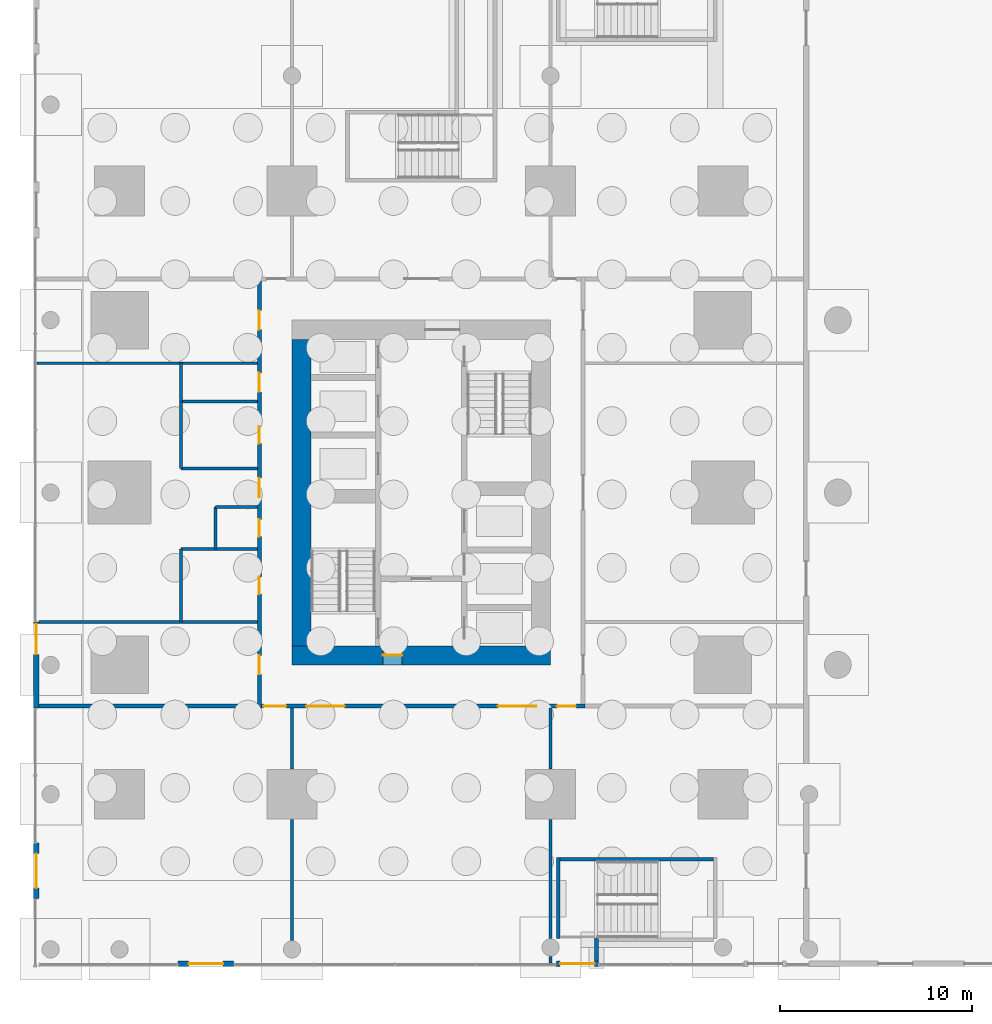
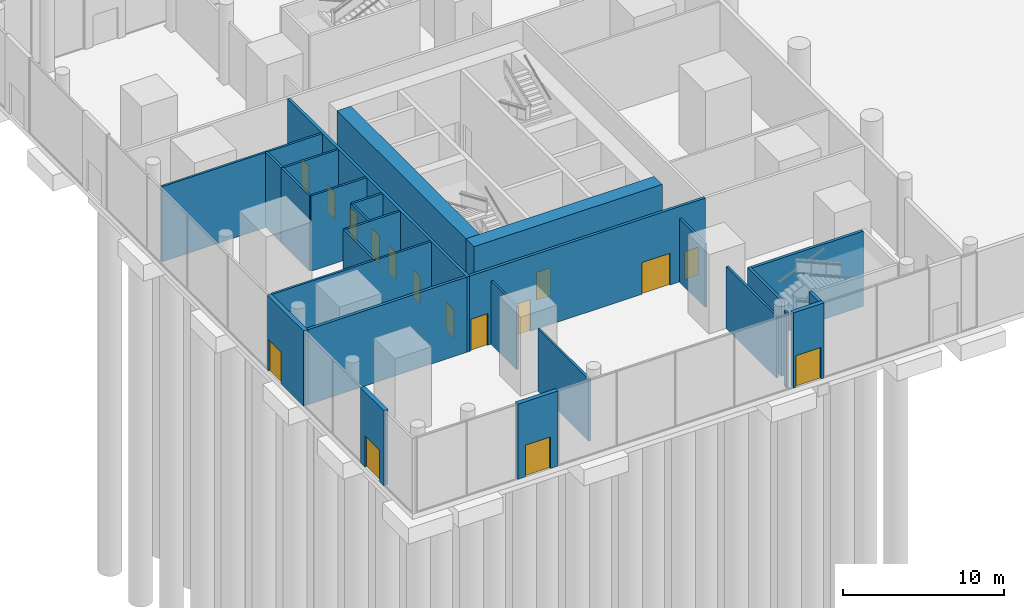
# One storey, part 18 of 31: 27 walls, 16 doors, 16 openings.
"""IFC4 building model written with IfcOpenShell, lengths in metres."""

from ifc_helpers import new_model, si_unit, direction, frame, frame_2d, origin, place, context, subcontext, project, spatial, rectangle, extrude, material, layer, layer_set, type_object, element, fill, save


model = new_model("IFC4")

# Units and contexts
model_context = context("Model", 3, precision=1e-05, world=origin(), true_north=direction((0.0, 1.0)))
body_context = subcontext(model_context, "Body", "Model", "MODEL_VIEW")
ifc_project = project(units=[si_unit("LENGTHUNIT", "METRE"), si_unit("AREAUNIT", "SQUARE_METRE"), si_unit("VOLUMEUNIT", "CUBIC_METRE"), si_unit("PLANEANGLEUNIT", "RADIAN"), si_unit("MASSUNIT", "GRAM", prefix="KILO")], contexts=[model_context])

# Site, building, storey
site_placement = place(None, origin())
site = spatial("IfcSite", under=ifc_project, at=site_placement, CompositionType="ELEMENT")
building_placement = place(site_placement, origin())
building = spatial("IfcBuilding", under=site, at=building_placement, Name="Namib Vertical Campus", CompositionType="ELEMENT")
storey_placement = place(building_placement, origin())
storey = spatial("IfcBuildingStorey", under=building, at=storey_placement, Name="L00", CompositionType="ELEMENT", Elevation=0.0)

# Wall, opening, door
ifc_material_1 = material(Name="Concrete C60/75", Category="concrete")
ifc_layer_1 = layer(ifc_material_1, 1.0)
ifc_layer_set_1 = layer_set([ifc_layer_1], Name="Concrete C60/75")
wall_type_1 = type_object("IfcWallType", Name="Core wall 1000", PredefinedType="SHEAR", material=ifc_layer_set_1)
wall_1_placement = place(storey_placement, frame((13.5, 11.75, -0.39990234375), z_axis=(0.0, 0.0, 1.0), x_axis=(1.0, 0.0, 0.0)))
wall_1 = element("IfcWall", 1, at=wall_1_placement, inside=storey, type_object=wall_type_1, Name="Core wall A L00 1", PredefinedType="SHEAR", context=body_context, shape_type="SweptSolid", body=[
    extrude(rectangle(XDim=13.5, YDim=1.0, at=frame_2d((6.75, 0.0))), origin(), (0.0, 0.0, 1.0), 6.39990234375),
])
opening_1_placement = place(wall_1_placement, frame((4.75, 0.0, 0.39990234375)))
opening_1 = element("IfcOpeningElement", 2, at=opening_1_placement, cuts=wall_1, Name="Opening FD5", PredefinedType="OPENING", context=body_context, shape_type="SweptSolid", body=[
    extrude(rectangle(XDim=1.0, YDim=2.10009765625, at=frame_2d((0.5, 1.050048828125))), frame((0.0, 0.510009765625, 0.0), z_axis=(0.0, -1.0, 0.0), x_axis=(1.0, 0.0, 0.0)), (0.0, 0.0, 1.0), 1.02001953125),
])
ifc_material_2 = material(Name="Steel fire door", Category="steel")
door_type_1 = type_object("IfcDoorType", Name="Fire door 1000x2100 120 min", OperationType="SINGLE_SWING_RIGHT", PredefinedType="DOOR", material=ifc_material_2)
door_1_placement = place(opening_1_placement, frame((1.0, 0.0, 0.0), z_axis=(0.0, 0.0, 1.0), x_axis=(-1.0, 0.0, 0.0)))
door_1 = element("IfcDoor", 3, at=door_1_placement, inside=storey, type_object=door_type_1, Name="Firefighting lobby door FD5 A L00", OperationType="SINGLE_SWING_RIGHT", OverallHeight=2.10009765625, OverallWidth=1.0, PredefinedType="DOOR", context=body_context, shape_type="SweptSolid", body=[
    extrude(rectangle(XDim=1.0, YDim=2.10009765625, at=frame_2d((0.5, 1.050048828125))), frame((0.0, 0.02490234375, 0.0), z_axis=(0.0, -1.0, 0.0), x_axis=(1.0, 0.0, 0.0)), (0.0, 0.0, 1.0), 0.050048828125),
])
fill(opening_1, door_1)

# Wall
wall_2_placement = place(storey_placement, frame((14.0, 28.25, -0.39990234375), z_axis=(0.0, 0.0, 1.0), x_axis=(0.0, -1.0, 0.0)))
element("IfcWall", 4, at=wall_2_placement, inside=storey, type_object=wall_type_1, Name="Core wall A L00 4", PredefinedType="SHEAR", context=body_context, shape_type="SweptSolid", body=[
    extrude(rectangle(XDim=16.0, YDim=1.0, at=frame_2d((8.0, 0.0))), origin(), (0.0, 0.0, 1.0), 6.39990234375),
])

# Wall, openings, doors
ifc_material_3 = material(Name="Concrete masonry", Category="masonry")
ifc_layer_2 = layer(ifc_material_3, 0.199951171875)
ifc_layer_set_2 = layer_set([ifc_layer_2], Name="Corridor wall 200")
wall_type_2 = type_object("IfcWallType", Name="Corridor wall 200", PredefinedType="SOLIDWALL", material=ifc_layer_set_2)
wall_3_placement = place(storey_placement, frame((11.89990234375, 9.10009765625, 0.0), z_axis=(0.0, 0.0, 1.0), x_axis=(1.0, 0.0, 0.0)))
wall_3 = element("IfcWall", 5, at=wall_3_placement, inside=storey, type_object=wall_type_2, Name="Corridor wall A L00 CS", PredefinedType="SOLIDWALL", context=body_context, shape_type="SweptSolid", body=[
    extrude(rectangle(XDim=16.900146484375, YDim=0.199951171875, at=frame_2d((8.4501953125, 0.0))), origin(), (0.0, 0.0, 1.0), 5.699951171875),
])
opening_2_placement = place(wall_3_placement, frame((0.10009765625, 0.0, 0.0)))
opening_2 = element("IfcOpeningElement", 6, at=opening_2_placement, cuts=wall_3, Name="Opening AD2", PredefinedType="OPENING", context=body_context, shape_type="SweptSolid", body=[
    extrude(rectangle(XDim=1.199951171875, YDim=2.39990234375, at=frame_2d((0.60009765625, 1.199951171875))), frame((0.0, 0.10986328125, 0.0), z_axis=(0.0, -1.0, 0.0), x_axis=(1.0, 0.0, 0.0)), (0.0, 0.0, 1.0), 0.219970703125),
])
opening_3_placement = place(wall_3_placement, frame((2.35009765625, 0.0, 0.0)))
opening_3 = element("IfcOpeningElement", 7, at=opening_3_placement, cuts=wall_3, Name="Opening AD1", PredefinedType="OPENING", context=body_context, shape_type="SweptSolid", body=[
    extrude(rectangle(XDim=2.0, YDim=2.39990234375, at=frame_2d((1.0, 1.199951171875))), frame((0.0, 0.10986328125, 0.0), z_axis=(0.0, -1.0, 0.0), x_axis=(1.0, 0.0, 0.0)), (0.0, 0.0, 1.0), 0.219970703125),
])
opening_4_placement = place(wall_3_placement, frame((12.35009765625, 0.0, 0.0)))
opening_4 = element("IfcOpeningElement", 8, at=opening_4_placement, cuts=wall_3, Name="Opening AD1", PredefinedType="OPENING", context=body_context, shape_type="SweptSolid", body=[
    extrude(rectangle(XDim=2.0, YDim=2.39990234375, at=frame_2d((1.0, 1.199951171875))), frame((0.0, 0.10986328125, 0.0), z_axis=(0.0, -1.0, 0.0), x_axis=(1.0, 0.0, 0.0)), (0.0, 0.0, 1.0), 0.219970703125),
])
opening_5_placement = place(wall_3_placement, frame((15.425048828125, 0.0, 0.0)))
opening_5 = element("IfcOpeningElement", 9, at=opening_5_placement, cuts=wall_3, Name="Opening CD1", PredefinedType="OPENING", context=body_context, shape_type="SweptSolid", body=[
    extrude(rectangle(XDim=1.0, YDim=2.10009765625, at=frame_2d((0.5, 1.050048828125))), frame((0.0, 0.10986328125, 0.0), z_axis=(0.0, -1.0, 0.0), x_axis=(1.0, 0.0, 0.0)), (0.0, 0.0, 1.0), 0.219970703125),
])
ifc_material_4 = material(Name="Timber fire door leaf", Category="wood")
door_type_2 = type_object("IfcDoorType", Name="Corridor door 1000x2100 20 min", OperationType="SINGLE_SWING_LEFT", PredefinedType="DOOR", material=ifc_material_4)
door_2_placement = place(opening_5_placement, frame((1.0, 0.0, 0.0), z_axis=(0.0, 0.0, 1.0), x_axis=(-1.0, 0.0, 0.0)))
door_2 = element("IfcDoor", 10, at=door_2_placement, inside=storey, type_object=door_type_2, Name="Door CD1 A00-03", OperationType="SINGLE_SWING_RIGHT", OverallHeight=2.10009765625, OverallWidth=1.0, PredefinedType="DOOR", context=body_context, shape_type="SweptSolid", body=[
    extrude(rectangle(XDim=1.0, YDim=2.10009765625, at=frame_2d((0.5, 1.050048828125))), frame((0.0, 0.02490234375, 0.0), z_axis=(0.0, -1.0, 0.0), x_axis=(1.0, 0.0, 0.0)), (0.0, 0.0, 1.0), 0.050048828125),
])
fill(opening_5, door_2)
ifc_material_5 = material(Name="Timber acoustic fire door leaf", Category="wood")
door_type_3 = type_object("IfcDoorType", Name="Lecture room door single 1200x2400 acoustic", OperationType="SINGLE_SWING_LEFT", PredefinedType="DOOR", material=ifc_material_5)
door_3_placement = place(opening_2_placement, origin())
door_3 = element("IfcDoor", 11, at=door_3_placement, inside=storey, type_object=door_type_3, Name="Door AD2 A00-01", OperationType="SINGLE_SWING_LEFT", OverallHeight=2.39990234375, OverallWidth=1.199951171875, PredefinedType="DOOR", context=body_context, shape_type="SweptSolid", body=[
    extrude(rectangle(XDim=1.199951171875, YDim=2.39990234375, at=frame_2d((0.60009765625, 1.199951171875))), frame((0.0, 0.02490234375, 0.0), z_axis=(0.0, -1.0, 0.0), x_axis=(1.0, 0.0, 0.0)), (0.0, 0.0, 1.0), 0.050048828125),
])
fill(opening_2, door_3)
ifc_material_6 = material(Name="Timber acoustic fire door leaf", Category="wood")
door_type_4 = type_object("IfcDoorType", Name="Lecture theatre door pair 2000x2400 acoustic", OperationType="DOUBLE_DOOR_SINGLE_SWING", PredefinedType="DOOR", material=ifc_material_6)
door_4_placement = place(opening_3_placement, origin())
door_4 = element("IfcDoor", 12, at=door_4_placement, inside=storey, type_object=door_type_4, Name="Door AD1 A00-02", OperationType="DOUBLE_DOOR_SINGLE_SWING", OverallHeight=2.39990234375, OverallWidth=2.0, PredefinedType="DOOR", context=body_context, shape_type="SweptSolid", body=[
    extrude(rectangle(XDim=2.0, YDim=2.39990234375, at=frame_2d((1.0, 1.199951171875))), frame((0.0, 0.02490234375, 0.0), z_axis=(0.0, -1.0, 0.0), x_axis=(1.0, 0.0, 0.0)), (0.0, 0.0, 1.0), 0.050048828125),
])
fill(opening_3, door_4)
door_5_placement = place(opening_4_placement, origin())
door_5 = element("IfcDoor", 13, at=door_5_placement, inside=storey, type_object=door_type_4, Name="Door AD1 A00-02 2", OperationType="DOUBLE_DOOR_SINGLE_SWING", OverallHeight=2.39990234375, OverallWidth=2.0, PredefinedType="DOOR", context=body_context, shape_type="SweptSolid", body=[
    extrude(rectangle(XDim=2.0, YDim=2.39990234375, at=frame_2d((1.0, 1.199951171875))), frame((0.0, 0.02490234375, 0.0), z_axis=(0.0, -1.0, 0.0), x_axis=(1.0, 0.0, 0.0)), (0.0, 0.0, 1.0), 0.050048828125),
])
fill(opening_4, door_5)

wall_4_placement = place(storey_placement, frame((11.800048828125, 31.300048828125, 0.0), z_axis=(0.0, 0.0, 1.0), x_axis=(0.0, -1.0, 0.0)))
wall_4 = element("IfcWall", 14, at=wall_4_placement, inside=storey, type_object=wall_type_2, Name="Corridor wall A L00 CW", PredefinedType="SOLIDWALL", context=body_context, shape_type="SweptSolid", body=[
    extrude(rectangle(XDim=22.300048828125, YDim=0.199951171875, at=frame_2d((11.14990234375, 0.0))), origin(), (0.0, 0.0, 1.0), 5.699951171875),
])
opening_6_placement = place(wall_4_placement, frame((19.550048828125, 0.0, 0.0)))
opening_6 = element("IfcOpeningElement", 15, at=opening_6_placement, cuts=wall_4, Name="Opening CD1", PredefinedType="OPENING", context=body_context, shape_type="SweptSolid", body=[
    extrude(rectangle(XDim=1.0, YDim=2.10009765625, at=frame_2d((0.5, 1.050048828125))), frame((0.0, 0.10986328125, 0.0), z_axis=(0.0, -1.0, 0.0), x_axis=(1.0, 0.0, 0.0)), (0.0, 0.0, 1.0), 0.219970703125),
])
opening_7_placement = place(wall_4_placement, frame((15.449951171875, 0.0, 0.0)))
opening_7 = element("IfcOpeningElement", 16, at=opening_7_placement, cuts=wall_4, Name="Opening CD3", PredefinedType="OPENING", context=body_context, shape_type="SweptSolid", body=[
    extrude(rectangle(XDim=0.89990234375, YDim=2.10009765625, at=frame_2d((0.449951171875, 1.050048828125))), frame((0.0, 0.10986328125, 0.0), z_axis=(0.0, -1.0, 0.0), x_axis=(1.0, 0.0, 0.0)), (0.0, 0.0, 1.0), 0.219970703125),
])
opening_8_placement = place(wall_4_placement, frame((12.449951171875, 0.0, 0.0)))
opening_8 = element("IfcOpeningElement", 17, at=opening_8_placement, cuts=wall_4, Name="Opening CD3", PredefinedType="OPENING", context=body_context, shape_type="SweptSolid", body=[
    extrude(rectangle(XDim=0.89990234375, YDim=2.10009765625, at=frame_2d((0.449951171875, 1.050048828125))), frame((0.0, 0.10986328125, 0.0), z_axis=(0.0, -1.0, 0.0), x_axis=(1.0, 0.0, 0.0)), (0.0, 0.0, 1.0), 0.219970703125),
])
opening_9_placement = place(wall_4_placement, frame((7.60009765625, 0.0, 0.0)))
opening_9 = element("IfcOpeningElement", 18, at=opening_9_placement, cuts=wall_4, Name="Opening CD3", PredefinedType="OPENING", context=body_context, shape_type="SweptSolid", body=[
    extrude(rectangle(XDim=0.89990234375, YDim=2.10009765625, at=frame_2d((0.449951171875, 1.050048828125))), frame((0.0, 0.10986328125, 0.0), z_axis=(0.0, -1.0, 0.0), x_axis=(1.0, 0.0, 0.0)), (0.0, 0.0, 1.0), 0.219970703125),
])
opening_10_placement = place(wall_4_placement, frame((4.800048828125, 0.0, 0.0)))
opening_10 = element("IfcOpeningElement", 19, at=opening_10_placement, cuts=wall_4, Name="Opening CD1", PredefinedType="OPENING", context=body_context, shape_type="SweptSolid", body=[
    extrude(rectangle(XDim=1.0, YDim=2.10009765625, at=frame_2d((0.5, 1.050048828125))), frame((0.0, 0.10986328125, 0.0), z_axis=(0.0, -1.0, 0.0), x_axis=(1.0, 0.0, 0.0)), (0.0, 0.0, 1.0), 0.219970703125),
])
opening_11_placement = place(wall_4_placement, frame((10.300048828125, 0.0, 0.0)))
opening_11 = element("IfcOpeningElement", 20, at=opening_11_placement, cuts=wall_4, Name="Opening CD1", PredefinedType="OPENING", context=body_context, shape_type="SweptSolid", body=[
    extrude(rectangle(XDim=1.0, YDim=2.10009765625, at=frame_2d((0.5, 1.050048828125))), frame((0.0, 0.10986328125, 0.0), z_axis=(0.0, -1.0, 0.0), x_axis=(1.0, 0.0, 0.0)), (0.0, 0.0, 1.0), 0.219970703125),
])
opening_12_placement = place(wall_4_placement, frame((1.550048828125, 0.0, 0.0)))
opening_12 = element("IfcOpeningElement", 21, at=opening_12_placement, cuts=wall_4, Name="Opening CD1", PredefinedType="OPENING", context=body_context, shape_type="SweptSolid", body=[
    extrude(rectangle(XDim=1.0, YDim=2.10009765625, at=frame_2d((0.5, 1.050048828125))), frame((0.0, 0.10986328125, 0.0), z_axis=(0.0, -1.0, 0.0), x_axis=(1.0, 0.0, 0.0)), (0.0, 0.0, 1.0), 0.219970703125),
])
door_6_placement = place(opening_6_placement, frame((1.0, 0.0, 0.0), z_axis=(0.0, 0.0, 1.0), x_axis=(-1.0, 0.0, 0.0)))
door_6 = element("IfcDoor", 22, at=door_6_placement, inside=storey, type_object=door_type_2, Name="Door CD1 A00-10", OperationType="SINGLE_SWING_RIGHT", OverallHeight=2.10009765625, OverallWidth=1.0, PredefinedType="DOOR", context=body_context, shape_type="SweptSolid", body=[
    extrude(rectangle(XDim=1.0, YDim=2.10009765625, at=frame_2d((0.5, 1.050048828125))), frame((0.0, 0.02490234375, 0.0), z_axis=(0.0, -1.0, 0.0), x_axis=(1.0, 0.0, 0.0)), (0.0, 0.0, 1.0), 0.050048828125),
])
fill(opening_6, door_6)
door_7_placement = place(opening_10_placement, frame((1.0, 0.0, 0.0), z_axis=(0.0, 0.0, 1.0), x_axis=(-1.0, 0.0, 0.0)))
door_7 = element("IfcDoor", 23, at=door_7_placement, inside=storey, type_object=door_type_2, Name="Door CD1 A00-14", OperationType="SINGLE_SWING_RIGHT", OverallHeight=2.10009765625, OverallWidth=1.0, PredefinedType="DOOR", context=body_context, shape_type="SweptSolid", body=[
    extrude(rectangle(XDim=1.0, YDim=2.10009765625, at=frame_2d((0.5, 1.050048828125))), frame((0.0, 0.02490234375, 0.0), z_axis=(0.0, -1.0, 0.0), x_axis=(1.0, 0.0, 0.0)), (0.0, 0.0, 1.0), 0.050048828125),
])
fill(opening_10, door_7)
door_8_placement = place(opening_11_placement, frame((1.0, 0.0, 0.0), z_axis=(0.0, 0.0, 1.0), x_axis=(-1.0, 0.0, 0.0)))
door_8 = element("IfcDoor", 24, at=door_8_placement, inside=storey, type_object=door_type_2, Name="Door CD1 A00-15", OperationType="SINGLE_SWING_RIGHT", OverallHeight=2.10009765625, OverallWidth=1.0, PredefinedType="DOOR", context=body_context, shape_type="SweptSolid", body=[
    extrude(rectangle(XDim=1.0, YDim=2.10009765625, at=frame_2d((0.5, 1.050048828125))), frame((0.0, 0.02490234375, 0.0), z_axis=(0.0, -1.0, 0.0), x_axis=(1.0, 0.0, 0.0)), (0.0, 0.0, 1.0), 0.050048828125),
])
fill(opening_11, door_8)
door_9_placement = place(opening_12_placement, frame((1.0, 0.0, 0.0), z_axis=(0.0, 0.0, 1.0), x_axis=(-1.0, 0.0, 0.0)))
door_9 = element("IfcDoor", 25, at=door_9_placement, inside=storey, type_object=door_type_2, Name="Door CD1 A00-16", OperationType="SINGLE_SWING_RIGHT", OverallHeight=2.10009765625, OverallWidth=1.0, PredefinedType="DOOR", context=body_context, shape_type="SweptSolid", body=[
    extrude(rectangle(XDim=1.0, YDim=2.10009765625, at=frame_2d((0.5, 1.050048828125))), frame((0.0, 0.02490234375, 0.0), z_axis=(0.0, -1.0, 0.0), x_axis=(1.0, 0.0, 0.0)), (0.0, 0.0, 1.0), 0.050048828125),
])
fill(opening_12, door_9)
ifc_material_7 = material(Name="Timber fire door leaf", Category="wood")
door_type_5 = type_object("IfcDoorType", Name="Corridor toilet door 900x2100 20 min", OperationType="SINGLE_SWING_LEFT", PredefinedType="DOOR", material=ifc_material_7)
door_10_placement = place(opening_7_placement, frame((0.89990234375, 0.0, 0.0), z_axis=(0.0, 0.0, 1.0), x_axis=(-1.0, 0.0, 0.0)))
door_10 = element("IfcDoor", 26, at=door_10_placement, inside=storey, type_object=door_type_5, Name="Door CD3 A00-11", OperationType="SINGLE_SWING_RIGHT", OverallHeight=2.10009765625, OverallWidth=0.89990234375, PredefinedType="DOOR", context=body_context, shape_type="SweptSolid", body=[
    extrude(rectangle(XDim=0.89990234375, YDim=2.10009765625, at=frame_2d((0.449951171875, 1.050048828125))), frame((0.0, 0.02490234375, 0.0), z_axis=(0.0, -1.0, 0.0), x_axis=(1.0, 0.0, 0.0)), (0.0, 0.0, 1.0), 0.050048828125),
])
fill(opening_7, door_10)
door_11_placement = place(opening_8_placement, frame((0.89990234375, 0.0, 0.0), z_axis=(0.0, 0.0, 1.0), x_axis=(-1.0, 0.0, 0.0)))
door_11 = element("IfcDoor", 27, at=door_11_placement, inside=storey, type_object=door_type_5, Name="Door CD3 A00-12", OperationType="SINGLE_SWING_RIGHT", OverallHeight=2.10009765625, OverallWidth=0.89990234375, PredefinedType="DOOR", context=body_context, shape_type="SweptSolid", body=[
    extrude(rectangle(XDim=0.89990234375, YDim=2.10009765625, at=frame_2d((0.449951171875, 1.050048828125))), frame((0.0, 0.02490234375, 0.0), z_axis=(0.0, -1.0, 0.0), x_axis=(1.0, 0.0, 0.0)), (0.0, 0.0, 1.0), 0.050048828125),
])
fill(opening_8, door_11)
door_12_placement = place(opening_9_placement, frame((0.89990234375, 0.0, 0.0), z_axis=(0.0, 0.0, 1.0), x_axis=(-1.0, 0.0, 0.0)))
door_12 = element("IfcDoor", 28, at=door_12_placement, inside=storey, type_object=door_type_5, Name="Door CD3 A00-13", OperationType="SINGLE_SWING_RIGHT", OverallHeight=2.10009765625, OverallWidth=0.89990234375, PredefinedType="DOOR", context=body_context, shape_type="SweptSolid", body=[
    extrude(rectangle(XDim=0.89990234375, YDim=2.10009765625, at=frame_2d((0.449951171875, 1.050048828125))), frame((0.0, 0.02490234375, 0.0), z_axis=(0.0, -1.0, 0.0), x_axis=(1.0, 0.0, 0.0)), (0.0, 0.0, 1.0), 0.050048828125),
])
fill(opening_9, door_12)

# Wall
wall_5_placement = place(storey_placement, frame((0.300048828125, 9.10009765625, 0.0), z_axis=(0.0, 0.0, 1.0), x_axis=(1.0, 0.0, 0.0)))
element("IfcWall", 29, at=wall_5_placement, inside=storey, type_object=wall_type_2, Name="Partition A L00 BSW", PredefinedType="SOLIDWALL", context=body_context, shape_type="SweptSolid", body=[
    extrude(rectangle(XDim=11.39990234375, YDim=0.199951171875, at=frame_2d((5.699951171875, 0.0))), origin(), (0.0, 0.0, 1.0), 5.699951171875),
])

# Wall, opening, door
ifc_material_8 = material(Name="Concrete C40/50", Category="concrete")
ifc_layer_3 = layer(ifc_material_8, 0.300048828125)
ifc_layer_set_3 = layer_set([ifc_layer_3], Name="Concrete C40/50")
wall_type_3 = type_object("IfcWallType", Name="External wall 300 board-marked concrete", PredefinedType="STANDARD", material=ifc_layer_set_3)
wall_6_placement = place(storey_placement, frame((7.550048828125, -4.35009765625, 0.0), z_axis=(0.0, 0.0, 1.0), x_axis=(1.0, 0.0, 0.0)))
wall_6 = element("IfcWall", 30, at=wall_6_placement, inside=storey, type_object=wall_type_3, Name="External wall L00 entrance 2", PredefinedType="STANDARD", context=body_context, shape_type="SweptSolid", body=[
    extrude(rectangle(XDim=2.89990234375, YDim=0.300048828125, at=frame_2d((1.449951171875, 0.0))), origin(), (0.0, 0.0, 1.0), 5.699951171875),
])
opening_13_placement = place(wall_6_placement, frame((0.550048828125, 0.0, 0.0)))
opening_13 = element("IfcOpeningElement", 31, at=opening_13_placement, cuts=wall_6, Name="Opening ED1", PredefinedType="OPENING", context=body_context, shape_type="SweptSolid", body=[
    extrude(rectangle(XDim=1.800048828125, YDim=2.39990234375, at=frame_2d((0.89990234375, 1.199951171875))), frame((0.0, 0.159912109375, 0.0), z_axis=(0.0, -1.0, 0.0), x_axis=(1.0, 0.0, 0.0)), (0.0, 0.0, 1.0), 0.320068359375),
])
ifc_material_9 = material(Name="Black aluminium glazed door", Category="aluminium")
door_type_6 = type_object("IfcDoorType", Name="Entrance door pair 1800x2400", OperationType="DOUBLE_DOOR_SINGLE_SWING", PredefinedType="DOOR", material=ifc_material_9)
door_13_placement = place(opening_13_placement, frame((1.800048828125, 0.0, 0.0), z_axis=(0.0, 0.0, 1.0), x_axis=(-1.0, 0.0, 0.0)))
door_13 = element("IfcDoor", 32, at=door_13_placement, inside=storey, type_object=door_type_6, Name="Exit door ED1 Lecture theatre A00-01", OperationType="DOUBLE_DOOR_SINGLE_SWING", OverallHeight=2.39990234375, OverallWidth=1.800048828125, PredefinedType="DOOR", context=body_context, shape_type="SweptSolid", body=[
    extrude(rectangle(XDim=1.800048828125, YDim=2.39990234375, at=frame_2d((0.89990234375, 1.199951171875))), frame((0.0, 0.02490234375, 0.0), z_axis=(0.0, -1.0, 0.0), x_axis=(1.0, 0.0, 0.0)), (0.0, 0.0, 1.0), 0.050048828125),
])
fill(opening_13, door_13)

wall_7_placement = place(storey_placement, frame((27.300048828125, -4.35009765625, 0.0), z_axis=(0.0, 0.0, 1.0), x_axis=(1.0, 0.0, 0.0)))
wall_7 = element("IfcWall", 33, at=wall_7_placement, inside=storey, type_object=wall_type_3, Name="External wall L00 entrance 4", PredefinedType="STANDARD", context=body_context, shape_type="SweptSolid", body=[
    extrude(rectangle(XDim=2.199951171875, YDim=0.300048828125, at=frame_2d((1.10009765625, 0.0))), origin(), (0.0, 0.0, 1.0), 5.699951171875),
])
opening_14_placement = place(wall_7_placement, frame((0.199951171875, 0.0, 0.0)))
opening_14 = element("IfcOpeningElement", 34, at=opening_14_placement, cuts=wall_7, Name="Opening ED1", PredefinedType="OPENING", context=body_context, shape_type="SweptSolid", body=[
    extrude(rectangle(XDim=1.800048828125, YDim=2.39990234375, at=frame_2d((0.89990234375, 1.199951171875))), frame((0.0, 0.159912109375, 0.0), z_axis=(0.0, -1.0, 0.0), x_axis=(1.0, 0.0, 0.0)), (0.0, 0.0, 1.0), 0.320068359375),
])
door_14_placement = place(opening_14_placement, frame((1.800048828125, 0.0, 0.0), z_axis=(0.0, 0.0, 1.0), x_axis=(-1.0, 0.0, 0.0)))
door_14 = element("IfcDoor", 35, at=door_14_placement, inside=storey, type_object=door_type_6, Name="Stair exit door ED1 P-S2", OperationType="DOUBLE_DOOR_SINGLE_SWING", OverallHeight=2.39990234375, OverallWidth=1.800048828125, PredefinedType="DOOR", context=body_context, shape_type="SweptSolid", body=[
    extrude(rectangle(XDim=1.800048828125, YDim=2.39990234375, at=frame_2d((0.89990234375, 1.199951171875))), frame((0.0, 0.02490234375, 0.0), z_axis=(0.0, -1.0, 0.0), x_axis=(1.0, 0.0, 0.0)), (0.0, 0.0, 1.0), 0.050048828125),
])
fill(opening_14, door_14)

wall_8_placement = place(storey_placement, frame((0.14990234375, 1.949951171875, 0.0), z_axis=(0.0, 0.0, 1.0), x_axis=(0.0, -1.0, 0.0)))
wall_8 = element("IfcWall", 36, at=wall_8_placement, inside=storey, type_object=wall_type_3, Name="External wall L00 entrance 2", PredefinedType="STANDARD", context=body_context, shape_type="SweptSolid", body=[
    extrude(rectangle(XDim=2.89990234375, YDim=0.300048828125, at=frame_2d((1.449951171875, 0.0))), origin(), (0.0, 0.0, 1.0), 5.699951171875),
])
opening_15_placement = place(wall_8_placement, frame((0.550048828125, 0.0, 0.0)))
opening_15 = element("IfcOpeningElement", 37, at=opening_15_placement, cuts=wall_8, Name="Opening ED1", PredefinedType="OPENING", context=body_context, shape_type="SweptSolid", body=[
    extrude(rectangle(XDim=1.800048828125, YDim=2.39990234375, at=frame_2d((0.89990234375, 1.199951171875))), frame((0.0, 0.159912109375, 0.0), z_axis=(0.0, -1.0, 0.0), x_axis=(1.0, 0.0, 0.0)), (0.0, 0.0, 1.0), 0.320068359375),
])
door_15_placement = place(opening_15_placement, frame((1.800048828125, 0.0, 0.0), z_axis=(0.0, 0.0, 1.0), x_axis=(-1.0, 0.0, 0.0)))
door_15 = element("IfcDoor", 38, at=door_15_placement, inside=storey, type_object=door_type_6, Name="Exit door ED1 Lecture theatre A00-01 west", OperationType="DOUBLE_DOOR_SINGLE_SWING", OverallHeight=2.39990234375, OverallWidth=1.800048828125, PredefinedType="DOOR", context=body_context, shape_type="SweptSolid", body=[
    extrude(rectangle(XDim=1.800048828125, YDim=2.39990234375, at=frame_2d((0.89990234375, 1.199951171875))), frame((0.0, 0.02490234375, 0.0), z_axis=(0.0, -1.0, 0.0), x_axis=(1.0, 0.0, 0.0)), (0.0, 0.0, 1.0), 0.050048828125),
])
fill(opening_15, door_15)

wall_9_placement = place(storey_placement, frame((0.14990234375, 13.5, 0.0), z_axis=(0.0, 0.0, 1.0), x_axis=(0.0, -1.0, 0.0)))
wall_9 = element("IfcWall", 39, at=wall_9_placement, inside=storey, type_object=wall_type_3, Name="External wall L00 entrance 4", PredefinedType="STANDARD", context=body_context, shape_type="SweptSolid", body=[
    extrude(rectangle(XDim=4.5, YDim=0.300048828125, at=frame_2d((2.25, 0.0))), origin(), (0.0, 0.0, 1.0), 5.699951171875),
])
opening_16_placement = place(wall_9_placement, frame((0.10009765625, 0.0, 0.0)))
opening_16 = element("IfcOpeningElement", 40, at=opening_16_placement, cuts=wall_9, Name="Opening ED2", PredefinedType="OPENING", context=body_context, shape_type="SweptSolid", body=[
    extrude(rectangle(XDim=1.60009765625, YDim=2.39990234375, at=frame_2d((0.800048828125, 1.199951171875))), frame((0.0, 0.159912109375, 0.0), z_axis=(0.0, -1.0, 0.0), x_axis=(1.0, 0.0, 0.0)), (0.0, 0.0, 1.0), 0.320068359375),
])
ifc_material_10 = material(Name="Steel exit door", Category="steel")
door_type_7 = type_object("IfcDoorType", Name="Exit door pair 1600x2400", OperationType="DOUBLE_DOOR_SINGLE_SWING", PredefinedType="DOOR", material=ifc_material_10)
door_16_placement = place(opening_16_placement, frame((1.60009765625, 0.0, 0.0), z_axis=(0.0, 0.0, 1.0), x_axis=(-1.0, 0.0, 0.0)))
door_16 = element("IfcDoor", 41, at=door_16_placement, inside=storey, type_object=door_type_7, Name="Entrance door ED2 4-1", OperationType="DOUBLE_DOOR_SINGLE_SWING", OverallHeight=2.39990234375, OverallWidth=1.60009765625, PredefinedType="DOOR", context=body_context, shape_type="SweptSolid", body=[
    extrude(rectangle(XDim=1.60009765625, YDim=2.39990234375, at=frame_2d((0.800048828125, 1.199951171875))), frame((0.0, 0.02490234375, 0.0), z_axis=(0.0, -1.0, 0.0), x_axis=(1.0, 0.0, 0.0)), (0.0, 0.0, 1.0), 0.050048828125),
])
fill(opening_16, door_16)

# Walls
ifc_material_11 = material(Name="Gypsum board on steel studs", Category="steel")
ifc_layer_4 = layer(ifc_material_11, 0.14990234375)
ifc_layer_set_4 = layer_set([ifc_layer_4], Name="Gypsum board on steel studs")
wall_type_4 = type_object("IfcWallType", Name="Partition 150", PredefinedType="PARTITIONING", material=ifc_layer_set_4)
wall_10_placement = place(storey_placement, frame((13.5, -3.1298828125, 0.0), z_axis=(0.0, 0.0, 1.0), x_axis=(0.0, 1.0, 0.0)))
element("IfcWall", 42, at=wall_10_placement, inside=storey, type_object=wall_type_4, Name="Partition A L00 PS1", PredefinedType="PARTITIONING", context=body_context, shape_type="SweptSolid", body=[
    extrude(rectangle(XDim=6.309814453125, YDim=0.14990234375, at=frame_2d((3.15478515625, 0.0))), origin(), (0.0, 0.0, 1.0), 4.699951171875),
])
wall_11_placement = place(storey_placement, frame((13.5, 5.820068359375, 0.0), z_axis=(0.0, 0.0, 1.0), x_axis=(0.0, 1.0, 0.0)))
element("IfcWall", 43, at=wall_11_placement, inside=storey, type_object=wall_type_4, Name="Partition A L00 PS1", PredefinedType="PARTITIONING", context=body_context, shape_type="SweptSolid", body=[
    extrude(rectangle(XDim=3.179931640625, YDim=0.14990234375, at=frame_2d((1.58984375, 0.0))), origin(), (0.0, 0.0, 1.0), 4.800048828125),
])
wall_12_placement = place(storey_placement, frame((27.0, -4.320068359375, 0.0), z_axis=(0.0, 0.0, 1.0), x_axis=(0.0, 1.0, 0.0)))
element("IfcWall", 44, at=wall_12_placement, inside=storey, type_object=wall_type_4, Name="Partition A L00 PS2", PredefinedType="PARTITIONING", context=body_context, shape_type="SweptSolid", body=[
    extrude(rectangle(XDim=0.35009765625, YDim=0.14990234375, at=frame_2d((0.175048828125, 0.0))), origin(), (0.0, 0.0, 1.0), 5.699951171875),
])
wall_13_placement = place(storey_placement, frame((27.0, -3.030029296875, 0.0), z_axis=(0.0, 0.0, 1.0), x_axis=(0.0, 1.0, 0.0)))
element("IfcWall", 45, at=wall_13_placement, inside=storey, type_object=wall_type_4, Name="Partition A L00 PS2", PredefinedType="PARTITIONING", context=body_context, shape_type="SweptSolid", body=[
    extrude(rectangle(XDim=6.2099609375, YDim=0.14990234375, at=frame_2d((3.10498046875, 0.0))), origin(), (0.0, 0.0, 1.0), 4.699951171875),
])
wall_14_placement = place(storey_placement, frame((27.0, 5.820068359375, 0.0), z_axis=(0.0, 0.0, 1.0), x_axis=(0.0, 1.0, 0.0)))
element("IfcWall", 46, at=wall_14_placement, inside=storey, type_object=wall_type_4, Name="Partition A L00 PS2", PredefinedType="PARTITIONING", context=body_context, shape_type="SweptSolid", body=[
    extrude(rectangle(XDim=3.179931640625, YDim=0.14990234375, at=frame_2d((1.58984375, 0.0))), origin(), (0.0, 0.0, 1.0), 4.800048828125),
])
wall_15_placement = place(storey_placement, frame((0.300048828125, 13.5, 0.0), z_axis=(0.0, 0.0, 1.0), x_axis=(1.0, 0.0, 0.0)))
element("IfcWall", 47, at=wall_15_placement, inside=storey, type_object=wall_type_4, Name="Partition A L00 PW1", PredefinedType="PARTITIONING", context=body_context, shape_type="SweptSolid", body=[
    extrude(rectangle(XDim=11.39990234375, YDim=0.14990234375, at=frame_2d((5.699951171875, 0.0))), origin(), (0.0, 0.0, 1.0), 5.699951171875),
])
wall_16_placement = place(storey_placement, frame((0.179931640625, 27.0, 0.0), z_axis=(0.0, 0.0, 1.0), x_axis=(1.0, 0.0, 0.0)))
element("IfcWall", 48, at=wall_16_placement, inside=storey, type_object=wall_type_4, Name="Partition A L00 PW2", PredefinedType="PARTITIONING", context=body_context, shape_type="SweptSolid", body=[
    extrude(rectangle(XDim=11.52001953125, YDim=0.14990234375, at=frame_2d((5.760009765625, 0.0))), origin(), (0.0, 0.0, 1.0), 5.699951171875),
])
wall_17_placement = place(storey_placement, frame((11.699951171875, 17.300048828125, 0.0), z_axis=(0.0, 0.0, 1.0), x_axis=(-1.0, 0.0, 0.0)))
element("IfcWall", 49, at=wall_17_placement, inside=storey, type_object=wall_type_4, Name="Partition A L00 WR1", PredefinedType="PARTITIONING", context=body_context, shape_type="SweptSolid", body=[
    extrude(rectangle(XDim=4.0, YDim=0.14990234375, at=frame_2d((2.0, 0.0))), origin(), (0.0, 0.0, 1.0), 5.699951171875),
])
wall_18_placement = place(storey_placement, frame((11.699951171875, 19.5, 0.0), z_axis=(0.0, 0.0, 1.0), x_axis=(-1.0, 0.0, 0.0)))
element("IfcWall", 50, at=wall_18_placement, inside=storey, type_object=wall_type_4, Name="Partition A L00 WR2", PredefinedType="PARTITIONING", context=body_context, shape_type="SweptSolid", body=[
    extrude(rectangle(XDim=2.199951171875, YDim=0.14990234375, at=frame_2d((1.10009765625, 0.0))), origin(), (0.0, 0.0, 1.0), 5.699951171875),
])
for number, where, z_axis, x_axis, name in (
    (51, (11.699951171875, 21.5, 0.0), (0.0, 0.0, 1.0), (-1.0, 0.0, 0.0), "Partition A L00 WR3"),
    (52, (11.699951171875, 25.0, 0.0), (0.0, 0.0, 1.0), (-1.0, 0.0, 0.0), "Partition A L00 WR4"),
):
    element("IfcWall", number, at=place(storey_placement, frame(where, z_axis=z_axis, x_axis=x_axis)), inside=storey, type_object=wall_type_4, Name=name, PredefinedType="PARTITIONING", context=body_context, shape_type="SweptSolid", body=[
        extrude(rectangle(XDim=4.0, YDim=0.14990234375, at=frame_2d((2.0, 0.0))), origin(), (0.0, 0.0, 1.0), 5.699951171875),
    ])
wall_19_placement = place(storey_placement, frame((7.699951171875, 13.5, 0.0), z_axis=(0.0, 0.0, 1.0), x_axis=(0.0, 1.0, 0.0)))
element("IfcWall", 53, at=wall_19_placement, inside=storey, type_object=wall_type_4, Name="Partition A L00 WB1", PredefinedType="PARTITIONING", context=body_context, shape_type="SweptSolid", body=[
    extrude(rectangle(XDim=3.800048828125, YDim=0.14990234375, at=frame_2d((1.89990234375, 0.0))), origin(), (0.0, 0.0, 1.0), 5.699951171875),
])
wall_20_placement = place(storey_placement, frame((9.5, 17.300048828125, 0.0), z_axis=(0.0, 0.0, 1.0), x_axis=(0.0, 1.0, 0.0)))
element("IfcWall", 54, at=wall_20_placement, inside=storey, type_object=wall_type_4, Name="Partition A L00 WB2", PredefinedType="PARTITIONING", context=body_context, shape_type="SweptSolid", body=[
    extrude(rectangle(XDim=2.199951171875, YDim=0.14990234375, at=frame_2d((1.10009765625, 0.0))), origin(), (0.0, 0.0, 1.0), 5.699951171875),
])
wall_21_placement = place(storey_placement, frame((7.699951171875, 21.5, 0.0), z_axis=(0.0, 0.0, 1.0), x_axis=(0.0, 1.0, 0.0)))
element("IfcWall", 55, at=wall_21_placement, inside=storey, type_object=wall_type_4, Name="Partition A L00 WB3", PredefinedType="PARTITIONING", context=body_context, shape_type="SweptSolid", body=[
    extrude(rectangle(XDim=3.5, YDim=0.14990234375, at=frame_2d((1.75, 0.0))), origin(), (0.0, 0.0, 1.0), 5.699951171875),
])
wall_22_placement = place(storey_placement, frame((7.699951171875, 25.0, 0.0), z_axis=(0.0, 0.0, 1.0), x_axis=(0.0, 1.0, 0.0)))
element("IfcWall", 56, at=wall_22_placement, inside=storey, type_object=wall_type_4, Name="Partition A L00 WB4", PredefinedType="PARTITIONING", context=body_context, shape_type="SweptSolid", body=[
    extrude(rectangle(XDim=2.0, YDim=0.14990234375, at=frame_2d((1.0, 0.0))), origin(), (0.0, 0.0, 1.0), 5.699951171875),
])
ifc_material_12 = material(Name="Concrete C40/50", Category="concrete")
ifc_layer_5 = layer(ifc_material_12, 0.199951171875)
ifc_layer_set_5 = layer_set([ifc_layer_5], Name="Concrete C40/50")
wall_type_5 = type_object("IfcWallType", Name="Stair enclosure wall RC 200", PredefinedType="SOLIDWALL", material=ifc_layer_set_5)
wall_23_placement = place(storey_placement, frame((27.5, 1.10009765625, 0.0), z_axis=(0.0, 0.0, 1.0), x_axis=(1.0, 0.0, 0.0)))
element("IfcWall", 57, at=wall_23_placement, inside=storey, type_object=wall_type_5, Name="Stair enclosure wall P-S2 L00 room side", PredefinedType="SOLIDWALL", context=body_context, shape_type="SweptSolid", body=[
    extrude(rectangle(XDim=8.0, YDim=0.199951171875, at=frame_2d((4.0, 0.0))), origin(), (0.0, 0.0, 1.0), 5.699951171875),
])
wall_24_placement = place(storey_placement, frame((29.39990234375, -3.0, 0.0), z_axis=(0.0, 0.0, 1.0), x_axis=(0.0, -1.0, 0.0)))
element("IfcWall", 58, at=wall_24_placement, inside=storey, type_object=wall_type_5, Name="Stair enclosure wall P-S2 L00 exit vestibule", PredefinedType="SOLIDWALL", context=body_context, shape_type="SweptSolid", body=[
    extrude(rectangle(XDim=1.199951171875, YDim=0.199951171875, at=frame_2d((0.60009765625, 0.0))), origin(), (0.0, 0.0, 1.0), 5.699951171875),
])
wall_25_placement = place(storey_placement, frame((27.39990234375, -3.030029296875, 0.0), z_axis=(0.0, 0.0, 1.0), x_axis=(0.0, 1.0, 0.0)))
element("IfcWall", 59, at=wall_25_placement, inside=storey, type_object=wall_type_5, Name="Stair enclosure wall P-S2 L00 W", PredefinedType="SOLIDWALL", context=body_context, shape_type="SweptSolid", body=[
    extrude(rectangle(XDim=4.22998046875, YDim=0.199951171875, at=frame_2d((2.114990234375, 0.0))), origin(), (0.0, 0.0, 1.0), 5.699951171875),
])

save(model, "model.ifc")
